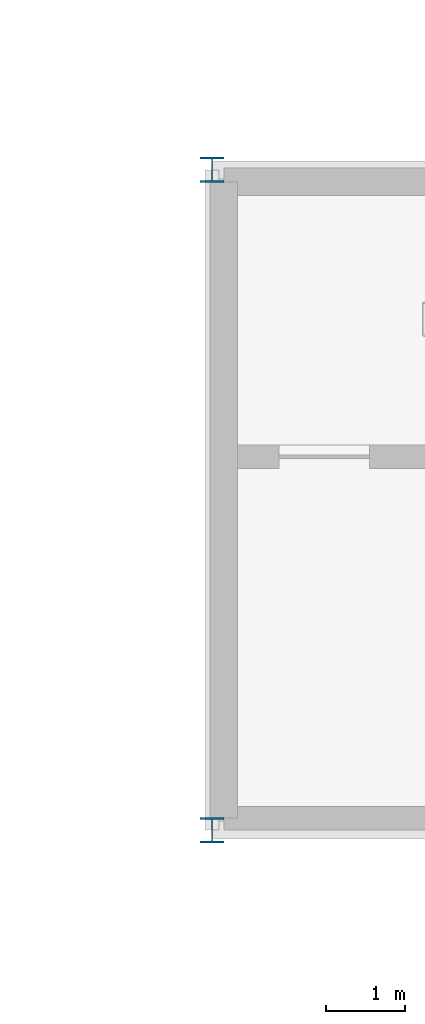
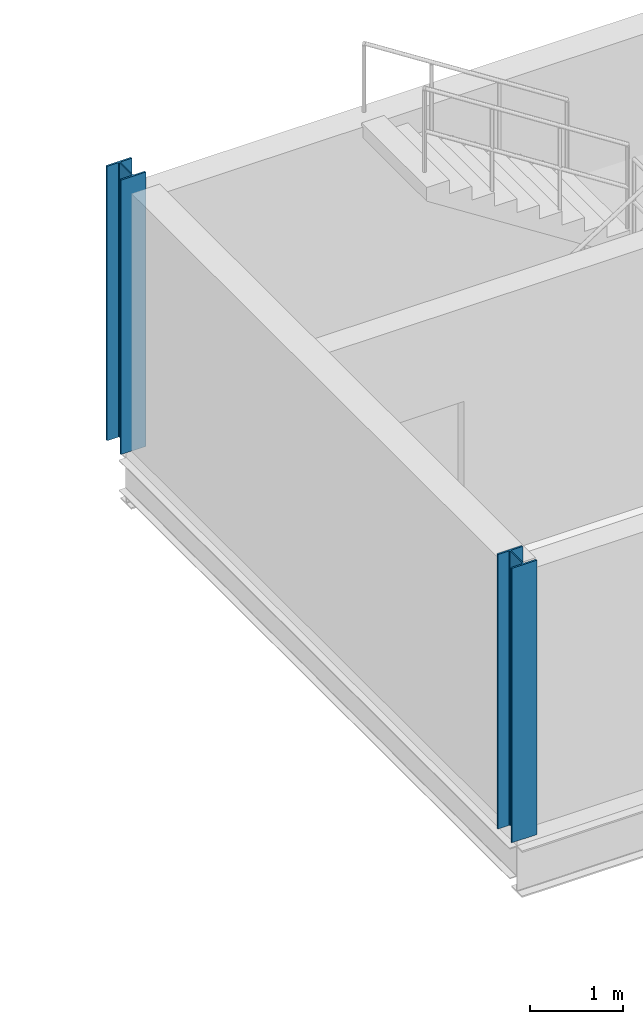
# One storey, part 8 of 79: 2 columns.
"""IFC4 building model written with IfcOpenShell, lengths in metres."""

from ifc_helpers import new_model, si_unit, direction, frame, origin, origin_2d, place, context, subcontext, project, spatial, i_section, extrude, material, material_profile, profile_set, type_object, element, save


model = new_model("IFC4")

# Units and contexts
model_context = context("Model", 3, precision=1e-05, world=origin(), true_north=direction((0.0, 1.0)))
body_context = subcontext(model_context, "Body", "Model", "MODEL_VIEW")
ifc_project = project(units=[si_unit("LENGTHUNIT", "METRE"), si_unit("AREAUNIT", "SQUARE_METRE"), si_unit("VOLUMEUNIT", "CUBIC_METRE"), si_unit("PLANEANGLEUNIT", "RADIAN"), si_unit("MASSUNIT", "GRAM", prefix="KILO"), si_unit("THERMODYNAMICTEMPERATUREUNIT", "KELVIN"), si_unit("POWERUNIT", "WATT")], contexts=[model_context])

# Site, building, storey
site_placement = place(None, origin())
site = spatial("IfcSite", under=ifc_project, at=site_placement, CompositionType="ELEMENT")
building_placement = place(site_placement, origin())
building = spatial("IfcBuilding", under=site, at=building_placement, Name="Tembeka Court Mobility Hub", CompositionType="ELEMENT")
storey_placement = place(building_placement, frame((0.0, 0.0, 9.0)))
storey = spatial("IfcBuildingStorey", under=building, at=storey_placement, Name="L02", CompositionType="ELEMENT", Elevation=9.0)

# Columns
ifc_material = material(Name="Steel S355", Category="steel")
ifc_material_profile = material_profile(ifc_material, i_section(OverallWidth=0.30908203125, OverallDepth=0.321044921875, WebThickness=0.013916015625, FlangeThickness=0.021728515625, FilletRadius=0.01513671875, at=origin_2d()), Name="UKC 305x305x137")
ifc_profile_set = profile_set([ifc_material_profile], Name="Steel S355")
column_type = type_object("IfcColumnType", Name="COL-C04", PredefinedType="COLUMN", material=ifc_profile_set)
for number, where, z_axis, x_axis, name in (
    (1, (116.39990234375, 38.39990234375, 0.0), (0.0, 0.0, 1.0), (1.0, 0.0, 0.0), "Column C04 (L02-159)"),
    (2, (116.39990234375, 46.800048828125, 0.0), (0.0, 0.0, 1.0), (1.0, 0.0, 0.0), "Column C04 (L02-160)"),
):
    element("IfcColumn", number, at=place(storey_placement, frame(where, z_axis=z_axis, x_axis=x_axis)), inside=storey, type_object=column_type, Name=name, PredefinedType="COLUMN", context=body_context, shape_type="SweptSolid", body=[
        extrude(i_section(OverallWidth=0.30908203125, OverallDepth=0.321044921875, WebThickness=0.013916015625, FlangeThickness=0.021728515625, FilletRadius=0.01513671875, at=origin_2d()), origin(), (0.0, 0.0, 1.0), 3.60009765625),
    ])

save(model, "model.ifc")
